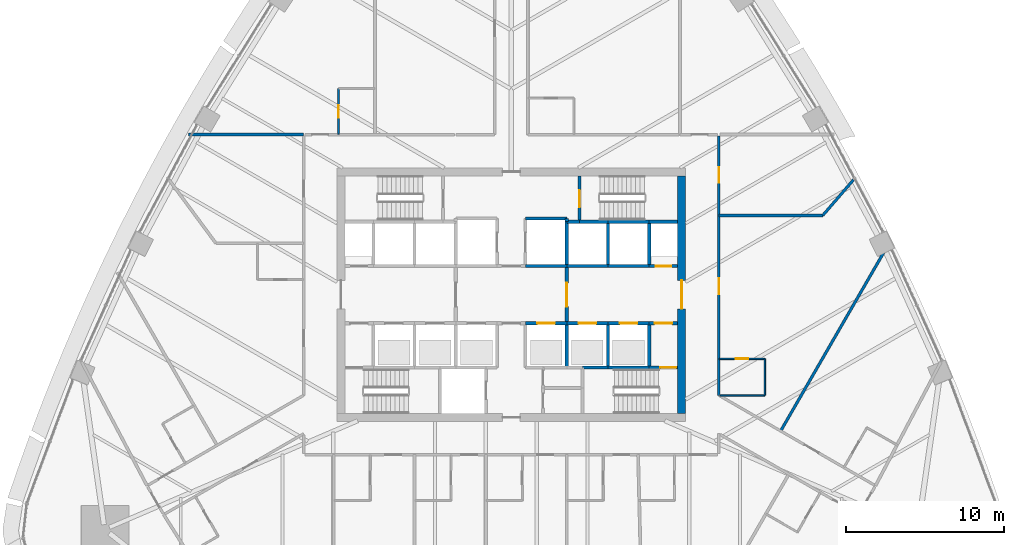
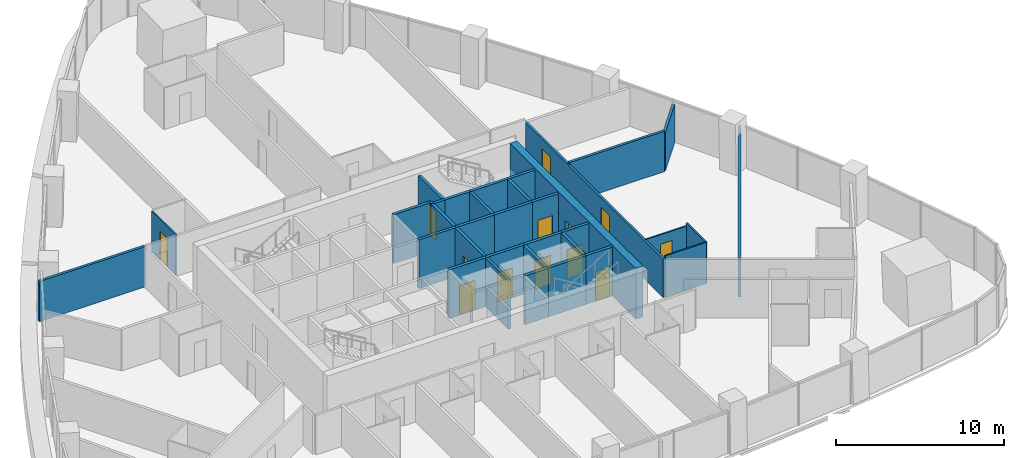
# One storey, part 12 of 17: 35 walls, 13 doors, 13 openings.
"""IFC4 building model written with IfcOpenShell, lengths in metres."""

from ifc_helpers import new_model, si_unit, direction, frame, frame_2d, origin, place, context, subcontext, project, spatial, rectangle, extrude, material, layer, layer_set, type_object, element, fill, save


model = new_model("IFC4")

# Units and contexts
model_context = context("Model", 3, precision=1e-05, world=origin(), true_north=direction((0.0, 1.0)))
body_context = subcontext(model_context, "Body", "Model", "MODEL_VIEW")
ifc_project = project(units=[si_unit("LENGTHUNIT", "METRE"), si_unit("AREAUNIT", "SQUARE_METRE"), si_unit("VOLUMEUNIT", "CUBIC_METRE"), si_unit("PLANEANGLEUNIT", "RADIAN"), si_unit("MASSUNIT", "GRAM", prefix="KILO")], contexts=[model_context])

# Site, building, storey
site_placement = place(None, origin())
site = spatial("IfcSite", under=ifc_project, at=site_placement, CompositionType="ELEMENT")
building_placement = place(site_placement, origin())
building = spatial("IfcBuilding", under=site, at=building_placement, Name="Sierra Prisma Convention Tower", CompositionType="ELEMENT")
storey_placement = place(building_placement, frame((0.0, 0.0, 99.800048828125)))
storey = spatial("IfcBuildingStorey", under=building, at=storey_placement, Name="L21", CompositionType="ELEMENT", Elevation=99.800048828125)

# Wall, opening, door
ifc_material_1 = material(Name="Gypsum board partition", Category="gypsum")
ifc_layer_1 = layer(ifc_material_1, 0.10009765625)
ifc_layer_set_1 = layer_set([ifc_layer_1], Name="Bathroom partition 100")
wall_type_1 = type_object("IfcWallType", Name="Bathroom partition 100", PredefinedType="PARTITIONING", material=ifc_layer_set_1)
wall_1_placement = place(storey_placement, frame((-10.89990234375, 10.1298828125, 0.0), z_axis=(0.0, 0.0, 1.0), x_axis=(0.0, 1.0, 0.0)))
wall_1 = element("IfcWall", 1, at=wall_1_placement, inside=storey, type_object=wall_type_1, Name="Partition L21 bath 9", PredefinedType="PARTITIONING", context=body_context, shape_type="SweptSolid", body=[
    extrude(rectangle(XDim=2.8701171875, YDim=0.10009765625, at=frame_2d((1.43505859375, 0.0))), origin(), (0.0, 0.0, 1.0), 2.947021484375),
])
opening_1_placement = place(wall_1_placement, frame((1.034912109375, 0.0, 0.0)))
opening_1 = element("IfcOpeningElement", 2, at=opening_1_placement, cuts=wall_1, Name="Opening L21-D003", PredefinedType="OPENING", context=body_context, shape_type="SweptSolid", body=[
    extrude(rectangle(XDim=0.800048828125, YDim=2.10009765625, at=frame_2d((0.39990234375, 1.050048828125))), frame((0.0, 0.050048828125, 0.0), z_axis=(0.0, -1.0, 0.0), x_axis=(1.0, 0.0, 0.0)), (0.0, 0.0, 1.0), 0.10009765625),
])
ifc_material_2 = material(Name="Solid core timber door leaf", Category="wood")
door_type_1 = type_object("IfcDoorType", Name="Door 800x2100 plain", OperationType="SINGLE_SWING_LEFT", PredefinedType="DOOR", material=ifc_material_2)
door_1_placement = place(opening_1_placement, origin())
door_1 = element("IfcDoor", 3, at=door_1_placement, inside=storey, type_object=door_type_1, Name="Door L21 8", OperationType="SINGLE_SWING_RIGHT", OverallHeight=2.10009765625, OverallWidth=0.800048828125, PredefinedType="DOOR", context=body_context, shape_type="SweptSolid", body=[
    extrude(rectangle(XDim=0.800048828125, YDim=2.10009765625, at=frame_2d((0.39990234375, 1.050048828125))), frame((0.0, 0.02490234375, 0.0), z_axis=(0.0, -1.0, 0.0), x_axis=(1.0, 0.0, 0.0)), (0.0, 0.0, 1.0), 0.050048828125),
])
fill(opening_1, door_1)

wall_2_placement = place(storey_placement, frame((13.1298828125, -4.05078125, 0.0), z_axis=(0.0, 0.0, 1.0), x_axis=(1.0, 0.0, 0.0)))
wall_2 = element("IfcWall", 4, at=wall_2_placement, inside=storey, type_object=wall_type_1, Name="Partition L21 bath 24", PredefinedType="PARTITIONING", context=body_context, shape_type="SweptSolid", body=[
    extrude(rectangle(XDim=2.8701171875, YDim=0.10009765625, at=frame_2d((1.43505859375, 0.0))), origin(), (0.0, 0.0, 1.0), 2.796875),
])
opening_2_placement = place(wall_2_placement, frame((1.034912109375, 0.0, 0.0)))
opening_2 = element("IfcOpeningElement", 5, at=opening_2_placement, cuts=wall_2, Name="Opening L21-D014", PredefinedType="OPENING", context=body_context, shape_type="SweptSolid", body=[
    extrude(rectangle(XDim=0.800048828125, YDim=2.10009765625, at=frame_2d((0.39990234375, 1.050048828125))), frame((0.0, 0.050048828125, 0.0), z_axis=(0.0, -1.0, 0.0), x_axis=(1.0, 0.0, 0.0)), (0.0, 0.0, 1.0), 0.10009765625),
])
door_2_placement = place(opening_2_placement, origin())
door_2 = element("IfcDoor", 6, at=door_2_placement, inside=storey, type_object=door_type_1, Name="Door L21 33", OperationType="SINGLE_SWING_RIGHT", OverallHeight=2.10009765625, OverallWidth=0.800048828125, PredefinedType="DOOR", context=body_context, shape_type="SweptSolid", body=[
    extrude(rectangle(XDim=0.800048828125, YDim=2.10009765625, at=frame_2d((0.39990234375, 1.050048828125))), frame((0.0, 0.02490234375, 0.0), z_axis=(0.0, -1.0, 0.0), x_axis=(1.0, 0.0, 0.0)), (0.0, 0.0, 1.0), 0.050048828125),
])
fill(opening_2, door_2)

# Walls
wall_3_placement = place(storey_placement, frame((16.0, -4.05078125, 0.0), z_axis=(0.0, 0.0, 1.0), x_axis=(0.0, -1.0, 0.0)))
element("IfcWall", 7, at=wall_3_placement, inside=storey, type_object=wall_type_1, Name="Partition L21 bath 25", PredefinedType="PARTITIONING", context=body_context, shape_type="SweptSolid", body=[
    extrude(rectangle(XDim=2.300048828125, YDim=0.10009765625, at=frame_2d((1.14990234375, 0.0))), origin(), (0.0, 0.0, 1.0), 3.0),
])
wall_4_placement = place(storey_placement, frame((16.0, -6.350830078125, 0.0), z_axis=(0.0, 0.0, 1.0), x_axis=(-1.0, 0.0, 0.0)))
element("IfcWall", 8, at=wall_4_placement, inside=storey, type_object=wall_type_1, Name="Partition L21 bath 26", PredefinedType="PARTITIONING", context=body_context, shape_type="SweptSolid", body=[
    extrude(rectangle(XDim=2.840087890625, YDim=0.10009765625, at=frame_2d((1.419921875, 0.0))), origin(), (0.0, 0.0, 1.0), 3.0),
])

# Wall, opening, door
ifc_material_3 = material(Name="Concrete C30/37", Category="concrete")
ifc_layer_2 = layer(ifc_material_3, 0.199951171875)
ifc_layer_set_2 = layer_set([ifc_layer_2], Name="Core wall RC 200 C30/37")
wall_type_2 = type_object("IfcWallType", Name="Core wall RC 200 C30/37", PredefinedType="SOLIDWALL", material=ifc_layer_set_2)
wall_5_placement = place(storey_placement, frame((0.89990234375, -1.800048828125, 0.0), z_axis=(0.0, 0.0, 1.0), x_axis=(1.0, 0.0, 0.0)))
wall_5 = element("IfcWall", 9, at=wall_5_placement, inside=storey, type_object=wall_type_2, Name="Core wall L21 35", PredefinedType="SOLIDWALL", context=body_context, shape_type="SweptSolid", body=[
    extrude(rectangle(XDim=2.60009765625, YDim=0.199951171875, at=frame_2d((1.300048828125, 0.0))), origin(), (0.0, 0.0, 1.0), 3.550048828125),
])
opening_3_placement = place(wall_5_placement, frame((0.75, 0.0, 0.0)))
opening_3 = element("IfcOpeningElement", 10, at=opening_3_placement, cuts=wall_5, Name="Opening L21-D018", PredefinedType="OPENING", context=body_context, shape_type="SweptSolid", body=[
    extrude(rectangle(XDim=1.10009765625, YDim=2.10009765625, at=frame_2d((0.550048828125, 1.050048828125))), frame((0.0, 0.10009765625, 0.0), z_axis=(0.0, -1.0, 0.0), x_axis=(1.0, 0.0, 0.0)), (0.0, 0.0, 1.0), 0.199951171875),
])
ifc_material_4 = material(Name="Steel fire door leaf", Category="steel")
door_type_2 = type_object("IfcDoorType", Name="Door 1100x2100 EI 90 sliding lift landing", OperationType="SLIDING_TO_LEFT", PredefinedType="DOOR", material=ifc_material_4)
door_3_placement = place(opening_3_placement, origin())
door_3 = element("IfcDoor", 11, at=door_3_placement, inside=storey, type_object=door_type_2, Name="Door L21 37", OperationType="SLIDING_TO_RIGHT", OverallHeight=2.10009765625, OverallWidth=1.10009765625, PredefinedType="DOOR", context=body_context, shape_type="SweptSolid", body=[
    extrude(rectangle(XDim=1.10009765625, YDim=2.10009765625, at=frame_2d((0.550048828125, 1.050048828125))), frame((0.0, 0.02490234375, 0.0), z_axis=(0.0, -1.0, 0.0), x_axis=(1.0, 0.0, 0.0)), (0.0, 0.0, 1.0), 0.050048828125),
])
fill(opening_3, door_3)

# Walls
wall_6_placement = place(storey_placement, frame((3.5, 1.800048828125, 0.0), z_axis=(0.0, 0.0, 1.0), x_axis=(-1.0, 0.0, 0.0)))
element("IfcWall", 12, at=wall_6_placement, inside=storey, type_object=wall_type_2, Name="Core wall L21 38", PredefinedType="SOLIDWALL", context=body_context, shape_type="SweptSolid", body=[
    extrude(rectangle(XDim=2.60009765625, YDim=0.199951171875, at=frame_2d((1.300048828125, 0.0))), origin(), (0.0, 0.0, 1.0), 3.550048828125),
])
wall_7_placement = place(storey_placement, frame((3.5, 4.60009765625, 0.0), z_axis=(0.0, 0.0, 1.0), x_axis=(0.0, 1.0, 0.0)))
element("IfcWall", 13, at=wall_7_placement, inside=storey, type_object=wall_type_2, Name="Core wall L21 39", PredefinedType="SOLIDWALL", context=body_context, shape_type="SweptSolid", body=[
    extrude(rectangle(XDim=0.199951171875, YDim=0.199951171875, at=frame_2d((0.10009765625, 0.0))), origin(), (0.0, 0.0, 1.0), 3.550048828125),
])
wall_8_placement = place(storey_placement, frame((3.5, 4.800048828125, 0.0), z_axis=(0.0, 0.0, 1.0), x_axis=(-1.0, 0.0, 0.0)))
element("IfcWall", 14, at=wall_8_placement, inside=storey, type_object=wall_type_2, Name="Core wall L21 40", PredefinedType="SOLIDWALL", context=body_context, shape_type="SweptSolid", body=[
    extrude(rectangle(XDim=2.60009765625, YDim=0.199951171875, at=frame_2d((1.300048828125, 0.0))), origin(), (0.0, 0.0, 1.0), 3.550048828125),
])
wall_9_placement = place(storey_placement, frame((3.5, -4.60009765625, 0.0), z_axis=(0.0, 0.0, 1.0), x_axis=(0.0, 1.0, 0.0)))
element("IfcWall", 15, at=wall_9_placement, inside=storey, type_object=wall_type_2, Name="Core wall L21 47", PredefinedType="SOLIDWALL", context=body_context, shape_type="SweptSolid", body=[
    extrude(rectangle(XDim=2.800048828125, YDim=0.199951171875, at=frame_2d((1.39990234375, 0.0))), origin(), (0.0, 0.0, 1.0), 3.550048828125),
])

# Wall, opening, door
wall_10_placement = place(storey_placement, frame((3.5, -1.800048828125, 0.0), z_axis=(0.0, 0.0, 1.0), x_axis=(1.0, 0.0, 0.0)))
wall_10 = element("IfcWall", 16, at=wall_10_placement, inside=storey, type_object=wall_type_2, Name="Core wall L21 48", PredefinedType="SOLIDWALL", context=body_context, shape_type="SweptSolid", body=[
    extrude(rectangle(XDim=2.60009765625, YDim=0.199951171875, at=frame_2d((1.300048828125, 0.0))), origin(), (0.0, 0.0, 1.0), 3.550048828125),
])
opening_4_placement = place(wall_10_placement, frame((0.75, 0.0, 0.0)))
opening_4 = element("IfcOpeningElement", 17, at=opening_4_placement, cuts=wall_10, Name="Opening L21-D019", PredefinedType="OPENING", context=body_context, shape_type="SweptSolid", body=[
    extrude(rectangle(XDim=1.10009765625, YDim=2.10009765625, at=frame_2d((0.550048828125, 1.050048828125))), frame((0.0, 0.10009765625, 0.0), z_axis=(0.0, -1.0, 0.0), x_axis=(1.0, 0.0, 0.0)), (0.0, 0.0, 1.0), 0.199951171875),
])
door_4_placement = place(opening_4_placement, origin())
door_4 = element("IfcDoor", 18, at=door_4_placement, inside=storey, type_object=door_type_2, Name="Door L21 38", OperationType="SLIDING_TO_LEFT", OverallHeight=2.10009765625, OverallWidth=1.10009765625, PredefinedType="DOOR", context=body_context, shape_type="SweptSolid", body=[
    extrude(rectangle(XDim=1.10009765625, YDim=2.10009765625, at=frame_2d((0.550048828125, 1.050048828125))), frame((0.0, 0.02490234375, 0.0), z_axis=(0.0, -1.0, 0.0), x_axis=(1.0, 0.0, 0.0)), (0.0, 0.0, 1.0), 0.050048828125),
])
fill(opening_4, door_4)

wall_11_placement = place(storey_placement, frame((3.5, -1.800048828125, 0.0), z_axis=(0.0, 0.0, 1.0), x_axis=(0.0, 1.0, 0.0)))
wall_11 = element("IfcWall", 19, at=wall_11_placement, inside=storey, type_object=wall_type_2, Name="Core wall L21 49", PredefinedType="SOLIDWALL", context=body_context, shape_type="SweptSolid", body=[
    extrude(rectangle(XDim=3.60009765625, YDim=0.199951171875, at=frame_2d((1.800048828125, 0.0))), origin(), (0.0, 0.0, 1.0), 3.550048828125),
])
opening_5_placement = place(wall_11_placement, frame((1.050048828125, 0.0, 0.0)))
opening_5 = element("IfcOpeningElement", 20, at=opening_5_placement, cuts=wall_11, Name="Opening L21-D025", PredefinedType="OPENING", context=body_context, shape_type="SweptSolid", body=[
    extrude(rectangle(XDim=1.5, YDim=2.10009765625, at=frame_2d((0.75, 1.050048828125))), frame((0.0, 0.10009765625, 0.0), z_axis=(0.0, -1.0, 0.0), x_axis=(1.0, 0.0, 0.0)), (0.0, 0.0, 1.0), 0.199951171875),
])
ifc_material_5 = material(Name="Steel fire door leaf", Category="steel")
door_type_3 = type_object("IfcDoorType", Name="Door 1500x2100 FD30S", OperationType="DOUBLE_DOOR_SINGLE_SWING", PredefinedType="DOOR", material=ifc_material_5)
door_5_placement = place(opening_5_placement, origin())
door_5 = element("IfcDoor", 21, at=door_5_placement, inside=storey, type_object=door_type_3, Name="Door L21 44", OperationType="DOUBLE_DOOR_SINGLE_SWING", OverallHeight=2.10009765625, OverallWidth=1.5, PredefinedType="DOOR", context=body_context, shape_type="SweptSolid", body=[
    extrude(rectangle(XDim=1.5, YDim=2.10009765625, at=frame_2d((0.75, 1.050048828125))), frame((0.0, 0.02490234375, 0.0), z_axis=(0.0, -1.0, 0.0), x_axis=(1.0, 0.0, 0.0)), (0.0, 0.0, 1.0), 0.050048828125),
])
fill(opening_5, door_5)

# Walls
wall_12_placement = place(storey_placement, frame((6.10009765625, 1.800048828125, 0.0), z_axis=(0.0, 0.0, 1.0), x_axis=(-1.0, 0.0, 0.0)))
element("IfcWall", 22, at=wall_12_placement, inside=storey, type_object=wall_type_2, Name="Core wall L21 50", PredefinedType="SOLIDWALL", context=body_context, shape_type="SweptSolid", body=[
    extrude(rectangle(XDim=2.60009765625, YDim=0.199951171875, at=frame_2d((1.300048828125, 0.0))), origin(), (0.0, 0.0, 1.0), 3.550048828125),
])
wall_13_placement = place(storey_placement, frame((3.5, 1.800048828125, 0.0), z_axis=(0.0, 0.0, 1.0), x_axis=(0.0, 1.0, 0.0)))
element("IfcWall", 23, at=wall_13_placement, inside=storey, type_object=wall_type_2, Name="Core wall L21 51", PredefinedType="SOLIDWALL", context=body_context, shape_type="SweptSolid", body=[
    extrude(rectangle(XDim=2.800048828125, YDim=0.199951171875, at=frame_2d((1.39990234375, 0.0))), origin(), (0.0, 0.0, 1.0), 3.550048828125),
])
wall_14_placement = place(storey_placement, frame((4.300048828125, 4.60009765625, 0.0), z_axis=(0.0, 0.0, 1.0), x_axis=(-1.0, 0.0, 0.0)))
element("IfcWall", 24, at=wall_14_placement, inside=storey, type_object=wall_type_2, Name="Core wall L21 52", PredefinedType="SOLIDWALL", context=body_context, shape_type="SweptSolid", body=[
    extrude(rectangle(XDim=0.800048828125, YDim=0.199951171875, at=frame_2d((0.39990234375, 0.0))), origin(), (0.0, 0.0, 1.0), 3.550048828125),
])
wall_15_placement = place(storey_placement, frame((6.10009765625, 4.60009765625, 0.0), z_axis=(0.0, 0.0, 1.0), x_axis=(-1.0, 0.0, 0.0)))
element("IfcWall", 25, at=wall_15_placement, inside=storey, type_object=wall_type_2, Name="Core wall L21 53", PredefinedType="SOLIDWALL", context=body_context, shape_type="SweptSolid", body=[
    extrude(rectangle(XDim=1.800048828125, YDim=0.199951171875, at=frame_2d((0.89990234375, 0.0))), origin(), (0.0, 0.0, 1.0), 3.550048828125),
])

# Wall, opening, door
wall_16_placement = place(storey_placement, frame((4.300048828125, 7.5, 0.0), z_axis=(0.0, 0.0, 1.0), x_axis=(0.0, -1.0, 0.0)))
wall_16 = element("IfcWall", 26, at=wall_16_placement, inside=storey, type_object=wall_type_2, Name="Core wall L21 54", PredefinedType="SOLIDWALL", context=body_context, shape_type="SweptSolid", body=[
    extrude(rectangle(XDim=2.89990234375, YDim=0.199951171875, at=frame_2d((1.449951171875, 0.0))), origin(), (0.0, 0.0, 1.0), 3.550048828125),
])
opening_6_placement = place(wall_16_placement, frame((0.89990234375, 0.0, 0.0)))
opening_6 = element("IfcOpeningElement", 27, at=opening_6_placement, cuts=wall_16, Name="Opening L21-D035", PredefinedType="OPENING", context=body_context, shape_type="SweptSolid", body=[
    extrude(rectangle(XDim=1.10009765625, YDim=2.10009765625, at=frame_2d((0.550048828125, 1.050048828125))), frame((0.0, 0.10009765625, 0.0), z_axis=(0.0, -1.0, 0.0), x_axis=(1.0, 0.0, 0.0)), (0.0, 0.0, 1.0), 0.199951171875),
])
ifc_material_6 = material(Name="Steel fire door leaf", Category="steel")
door_type_4 = type_object("IfcDoorType", Name="Door 1100x2100 FD90S", OperationType="SINGLE_SWING_LEFT", PredefinedType="DOOR", material=ifc_material_6)
door_6_placement = place(opening_6_placement, origin())
door_6 = element("IfcDoor", 28, at=door_6_placement, inside=storey, type_object=door_type_4, Name="Door L21 54", OperationType="SINGLE_SWING_LEFT", OverallHeight=2.10009765625, OverallWidth=1.10009765625, PredefinedType="DOOR", context=body_context, shape_type="SweptSolid", body=[
    extrude(rectangle(XDim=1.10009765625, YDim=2.10009765625, at=frame_2d((0.550048828125, 1.050048828125))), frame((0.0, 0.02490234375, 0.0), z_axis=(0.0, -1.0, 0.0), x_axis=(1.0, 0.0, 0.0)), (0.0, 0.0, 1.0), 0.050048828125),
])
fill(opening_6, door_6)

# Walls
wall_17_placement = place(storey_placement, frame((4.5, -4.60009765625, 0.0), z_axis=(0.0, 0.0, 1.0), x_axis=(1.0, 0.0, 0.0)))
element("IfcWall", 29, at=wall_17_placement, inside=storey, type_object=wall_type_2, Name="Core wall L21 57", PredefinedType="SOLIDWALL", context=body_context, shape_type="SweptSolid", body=[
    extrude(rectangle(XDim=1.60009765625, YDim=0.199951171875, at=frame_2d((0.800048828125, 0.0))), origin(), (0.0, 0.0, 1.0), 3.550048828125),
])
wall_18_placement = place(storey_placement, frame((6.10009765625, -4.60009765625, 0.0), z_axis=(0.0, 0.0, 1.0), x_axis=(1.0, 0.0, 0.0)))
element("IfcWall", 30, at=wall_18_placement, inside=storey, type_object=wall_type_2, Name="Core wall L21 58", PredefinedType="SOLIDWALL", context=body_context, shape_type="SweptSolid", body=[
    extrude(rectangle(XDim=2.599853515625, YDim=0.199951171875, at=frame_2d((1.2998046875, 0.0))), origin(), (0.0, 0.0, 1.0), 3.550048828125),
])
wall_19_placement = place(storey_placement, frame((6.10009765625, -4.60009765625, 0.0), z_axis=(0.0, 0.0, 1.0), x_axis=(0.0, 1.0, 0.0)))
element("IfcWall", 31, at=wall_19_placement, inside=storey, type_object=wall_type_2, Name="Core wall L21 59", PredefinedType="SOLIDWALL", context=body_context, shape_type="SweptSolid", body=[
    extrude(rectangle(XDim=2.800048828125, YDim=0.199951171875, at=frame_2d((1.39990234375, 0.0))), origin(), (0.0, 0.0, 1.0), 3.550048828125),
])

# Wall, opening, door
wall_20_placement = place(storey_placement, frame((6.10009765625, -1.800048828125, 0.0), z_axis=(0.0, 0.0, 1.0), x_axis=(1.0, 0.0, 0.0)))
wall_20 = element("IfcWall", 32, at=wall_20_placement, inside=storey, type_object=wall_type_2, Name="Core wall L21 60", PredefinedType="SOLIDWALL", context=body_context, shape_type="SweptSolid", body=[
    extrude(rectangle(XDim=2.599853515625, YDim=0.199951171875, at=frame_2d((1.2998046875, 0.0))), origin(), (0.0, 0.0, 1.0), 3.550048828125),
])
opening_7_placement = place(wall_20_placement, frame((0.75, 0.0, 0.0)))
opening_7 = element("IfcOpeningElement", 33, at=opening_7_placement, cuts=wall_20, Name="Opening L21-D020", PredefinedType="OPENING", context=body_context, shape_type="SweptSolid", body=[
    extrude(rectangle(XDim=1.10009765625, YDim=2.10009765625, at=frame_2d((0.550048828125, 1.050048828125))), frame((0.0, 0.10009765625, 0.0), z_axis=(0.0, -1.0, 0.0), x_axis=(1.0, 0.0, 0.0)), (0.0, 0.0, 1.0), 0.199951171875),
])
door_7_placement = place(opening_7_placement, origin())
door_7 = element("IfcDoor", 34, at=door_7_placement, inside=storey, type_object=door_type_2, Name="Door L21 39", OperationType="SLIDING_TO_LEFT", OverallHeight=2.10009765625, OverallWidth=1.10009765625, PredefinedType="DOOR", context=body_context, shape_type="SweptSolid", body=[
    extrude(rectangle(XDim=1.10009765625, YDim=2.10009765625, at=frame_2d((0.550048828125, 1.050048828125))), frame((0.0, 0.02490234375, 0.0), z_axis=(0.0, -1.0, 0.0), x_axis=(1.0, 0.0, 0.0)), (0.0, 0.0, 1.0), 0.050048828125),
])
fill(opening_7, door_7)

# Walls
wall_21_placement = place(storey_placement, frame((8.699951171875, 1.800048828125, 0.0), z_axis=(0.0, 0.0, 1.0), x_axis=(-1.0, 0.0, 0.0)))
element("IfcWall", 35, at=wall_21_placement, inside=storey, type_object=wall_type_2, Name="Core wall L21 61", PredefinedType="SOLIDWALL", context=body_context, shape_type="SweptSolid", body=[
    extrude(rectangle(XDim=2.599853515625, YDim=0.199951171875, at=frame_2d((1.2998046875, 0.0))), origin(), (0.0, 0.0, 1.0), 3.550048828125),
])
wall_22_placement = place(storey_placement, frame((6.10009765625, 1.800048828125, 0.0), z_axis=(0.0, 0.0, 1.0), x_axis=(0.0, 1.0, 0.0)))
element("IfcWall", 36, at=wall_22_placement, inside=storey, type_object=wall_type_2, Name="Core wall L21 62", PredefinedType="SOLIDWALL", context=body_context, shape_type="SweptSolid", body=[
    extrude(rectangle(XDim=2.800048828125, YDim=0.199951171875, at=frame_2d((1.39990234375, 0.0))), origin(), (0.0, 0.0, 1.0), 3.550048828125),
])
wall_23_placement = place(storey_placement, frame((8.699951171875, 4.60009765625, 0.0), z_axis=(0.0, 0.0, 1.0), x_axis=(-1.0, 0.0, 0.0)))
element("IfcWall", 37, at=wall_23_placement, inside=storey, type_object=wall_type_2, Name="Core wall L21 63", PredefinedType="SOLIDWALL", context=body_context, shape_type="SweptSolid", body=[
    extrude(rectangle(XDim=2.599853515625, YDim=0.199951171875, at=frame_2d((1.2998046875, 0.0))), origin(), (0.0, 0.0, 1.0), 3.550048828125),
])

# Wall, opening, door
wall_24_placement = place(storey_placement, frame((8.699951171875, -4.60009765625, 0.0), z_axis=(0.0, 0.0, 1.0), x_axis=(1.0, 0.0, 0.0)))
wall_24 = element("IfcWall", 38, at=wall_24_placement, inside=storey, type_object=wall_type_2, Name="Core wall L21 64", PredefinedType="SOLIDWALL", context=body_context, shape_type="SweptSolid", body=[
    extrude(rectangle(XDim=1.800048828125, YDim=0.199951171875, at=frame_2d((0.89990234375, 0.0))), origin(), (0.0, 0.0, 1.0), 3.550048828125),
])
opening_8_placement = place(wall_24_placement, frame((0.699951171875, 0.0, 0.0)))
opening_8 = element("IfcOpeningElement", 39, at=opening_8_placement, cuts=wall_24, Name="Opening L21-D033", PredefinedType="OPENING", context=body_context, shape_type="SweptSolid", body=[
    extrude(rectangle(XDim=1.0, YDim=2.10009765625, at=frame_2d((0.5, 1.050048828125))), frame((0.0, 0.10009765625, 0.0), z_axis=(0.0, -1.0, 0.0), x_axis=(1.0, 0.0, 0.0)), (0.0, 0.0, 1.0), 0.199951171875),
])
ifc_material_7 = material(Name="Steel fire door leaf", Category="steel")
door_type_5 = type_object("IfcDoorType", Name="Door 1000x2100 FD90S", OperationType="SINGLE_SWING_LEFT", PredefinedType="DOOR", material=ifc_material_7)
door_8_placement = place(opening_8_placement, origin())
door_8 = element("IfcDoor", 40, at=door_8_placement, inside=storey, type_object=door_type_5, Name="Door L21 52", OperationType="SINGLE_SWING_RIGHT", OverallHeight=2.10009765625, OverallWidth=1.0, PredefinedType="DOOR", context=body_context, shape_type="SweptSolid", body=[
    extrude(rectangle(XDim=1.0, YDim=2.10009765625, at=frame_2d((0.5, 1.050048828125))), frame((0.0, 0.02490234375, 0.0), z_axis=(0.0, -1.0, 0.0), x_axis=(1.0, 0.0, 0.0)), (0.0, 0.0, 1.0), 0.050048828125),
])
fill(opening_8, door_8)

# Wall
wall_25_placement = place(storey_placement, frame((8.699951171875, -1.800048828125, 0.0), z_axis=(0.0, 0.0, 1.0), x_axis=(0.0, -1.0, 0.0)))
element("IfcWall", 41, at=wall_25_placement, inside=storey, type_object=wall_type_2, Name="Core wall L21 65", PredefinedType="SOLIDWALL", context=body_context, shape_type="SweptSolid", body=[
    extrude(rectangle(XDim=2.800048828125, YDim=0.199951171875, at=frame_2d((1.39990234375, 0.0))), origin(), (0.0, 0.0, 1.0), 3.550048828125),
])

# Wall, opening, door
wall_26_placement = place(storey_placement, frame((8.699951171875, -1.800048828125, 0.0), z_axis=(0.0, 0.0, 1.0), x_axis=(1.0, 0.0, 0.0)))
wall_26 = element("IfcWall", 42, at=wall_26_placement, inside=storey, type_object=wall_type_2, Name="Core wall L21 66", PredefinedType="SOLIDWALL", context=body_context, shape_type="SweptSolid", body=[
    extrude(rectangle(XDim=1.800048828125, YDim=0.199951171875, at=frame_2d((0.89990234375, 0.0))), origin(), (0.0, 0.0, 1.0), 3.550048828125),
])
opening_9_placement = place(wall_26_placement, frame((0.35009765625, 0.0, 0.0)))
opening_9 = element("IfcOpeningElement", 43, at=opening_9_placement, cuts=wall_26, Name="Opening L21-D027", PredefinedType="OPENING", context=body_context, shape_type="SweptSolid", body=[
    extrude(rectangle(XDim=1.10009765625, YDim=2.10009765625, at=frame_2d((0.550048828125, 1.050048828125))), frame((0.0, 0.10009765625, 0.0), z_axis=(0.0, -1.0, 0.0), x_axis=(1.0, 0.0, 0.0)), (0.0, 0.0, 1.0), 0.199951171875),
])
door_9_placement = place(opening_9_placement, origin())
door_9 = element("IfcDoor", 44, at=door_9_placement, inside=storey, type_object=door_type_4, Name="Door L21 46", OperationType="SINGLE_SWING_LEFT", OverallHeight=2.10009765625, OverallWidth=1.10009765625, PredefinedType="DOOR", context=body_context, shape_type="SweptSolid", body=[
    extrude(rectangle(XDim=1.10009765625, YDim=2.10009765625, at=frame_2d((0.550048828125, 1.050048828125))), frame((0.0, 0.02490234375, 0.0), z_axis=(0.0, -1.0, 0.0), x_axis=(1.0, 0.0, 0.0)), (0.0, 0.0, 1.0), 0.050048828125),
])
fill(opening_9, door_9)

wall_27_placement = place(storey_placement, frame((10.5, 1.800048828125, 0.0), z_axis=(0.0, 0.0, 1.0), x_axis=(-1.0, 0.0, 0.0)))
wall_27 = element("IfcWall", 45, at=wall_27_placement, inside=storey, type_object=wall_type_2, Name="Core wall L21 67", PredefinedType="SOLIDWALL", context=body_context, shape_type="SweptSolid", body=[
    extrude(rectangle(XDim=1.800048828125, YDim=0.199951171875, at=frame_2d((0.89990234375, 0.0))), origin(), (0.0, 0.0, 1.0), 3.550048828125),
])
opening_10_placement = place(wall_27_placement, frame((0.39990234375, 0.0, 0.0)))
opening_10 = element("IfcOpeningElement", 46, at=opening_10_placement, cuts=wall_27, Name="Opening L21-D031", PredefinedType="OPENING", context=body_context, shape_type="SweptSolid", body=[
    extrude(rectangle(XDim=1.0, YDim=2.10009765625, at=frame_2d((0.5, 1.050048828125))), frame((0.0, 0.10009765625, 0.0), z_axis=(0.0, -1.0, 0.0), x_axis=(1.0, 0.0, 0.0)), (0.0, 0.0, 1.0), 0.199951171875),
])
ifc_material_8 = material(Name="Steel fire door leaf", Category="steel")
door_type_6 = type_object("IfcDoorType", Name="Door 1000x2100 FD60S", OperationType="SINGLE_SWING_LEFT", PredefinedType="DOOR", material=ifc_material_8)
door_10_placement = place(opening_10_placement, origin())
door_10 = element("IfcDoor", 47, at=door_10_placement, inside=storey, type_object=door_type_6, Name="Door L21 50", OperationType="SINGLE_SWING_LEFT", OverallHeight=2.10009765625, OverallWidth=1.0, PredefinedType="DOOR", context=body_context, shape_type="SweptSolid", body=[
    extrude(rectangle(XDim=1.0, YDim=2.10009765625, at=frame_2d((0.5, 1.050048828125))), frame((0.0, 0.02490234375, 0.0), z_axis=(0.0, -1.0, 0.0), x_axis=(1.0, 0.0, 0.0)), (0.0, 0.0, 1.0), 0.050048828125),
])
fill(opening_10, door_10)

# Walls
wall_28_placement = place(storey_placement, frame((8.699951171875, 4.60009765625, 0.0), z_axis=(0.0, 0.0, 1.0), x_axis=(0.0, -1.0, 0.0)))
element("IfcWall", 48, at=wall_28_placement, inside=storey, type_object=wall_type_2, Name="Core wall L21 68", PredefinedType="SOLIDWALL", context=body_context, shape_type="SweptSolid", body=[
    extrude(rectangle(XDim=2.800048828125, YDim=0.199951171875, at=frame_2d((1.39990234375, 0.0))), origin(), (0.0, 0.0, 1.0), 3.550048828125),
])
wall_29_placement = place(storey_placement, frame((10.5, 4.60009765625, 0.0), z_axis=(0.0, 0.0, 1.0), x_axis=(-1.0, 0.0, 0.0)))
element("IfcWall", 49, at=wall_29_placement, inside=storey, type_object=wall_type_2, Name="Core wall L21 69", PredefinedType="SOLIDWALL", context=body_context, shape_type="SweptSolid", body=[
    extrude(rectangle(XDim=1.800048828125, YDim=0.199951171875, at=frame_2d((0.89990234375, 0.0))), origin(), (0.0, 0.0, 1.0), 3.550048828125),
])

# Wall, opening, door
ifc_material_9 = material(Name="Concrete C60/75", Category="concrete")
ifc_layer_3 = layer(ifc_material_9, 0.5)
ifc_layer_set_3 = layer_set([ifc_layer_3], Name="Core wall RC 500 C60/75")
wall_type_3 = type_object("IfcWallType", Name="Core wall RC 500 C60/75", PredefinedType="SHEAR", material=ifc_layer_set_3)
wall_30_placement = place(storey_placement, frame((10.75, -7.5, 0.0), z_axis=(0.0, 0.0, 1.0), x_axis=(0.0, 1.0, 0.0)))
wall_30 = element("IfcWall", 50, at=wall_30_placement, inside=storey, type_object=wall_type_3, Name="Core wall E L21", PredefinedType="SHEAR", context=body_context, shape_type="SweptSolid", body=[
    extrude(rectangle(XDim=15.0, YDim=0.5, at=frame_2d((7.5, 0.0))), origin(), (0.0, 0.0, 1.0), 3.699951171875),
])
opening_11_placement = place(wall_30_placement, frame((6.60009765625, 0.0, 0.0)))
opening_11 = element("IfcOpeningElement", 51, at=opening_11_placement, cuts=wall_30, Name="Opening L21-D057", PredefinedType="OPENING", context=body_context, shape_type="SweptSolid", body=[
    extrude(rectangle(XDim=1.800048828125, YDim=2.10009765625, at=frame_2d((0.89990234375, 1.050048828125))), frame((0.0, 0.25, 0.0), z_axis=(0.0, -1.0, 0.0), x_axis=(1.0, 0.0, 0.0)), (0.0, 0.0, 1.0), 0.5),
])
ifc_material_10 = material(Name="Steel fire door leaf", Category="steel")
door_type_7 = type_object("IfcDoorType", Name="Door 1800x2100 FD60S", OperationType="DOUBLE_DOOR_SINGLE_SWING", PredefinedType="DOOR", material=ifc_material_10)
door_11_placement = place(opening_11_placement, origin())
door_11 = element("IfcDoor", 52, at=door_11_placement, inside=storey, type_object=door_type_7, Name="Door L21 58", OperationType="DOUBLE_DOOR_SINGLE_SWING", OverallHeight=2.10009765625, OverallWidth=1.800048828125, PredefinedType="DOOR", context=body_context, shape_type="SweptSolid", body=[
    extrude(rectangle(XDim=1.800048828125, YDim=2.10009765625, at=frame_2d((0.89990234375, 1.050048828125))), frame((0.0, 0.02490234375, 0.0), z_axis=(0.0, -1.0, 0.0), x_axis=(1.0, 0.0, 0.0)), (0.0, 0.0, 1.0), 0.050048828125),
])
fill(opening_11, door_11)

# Wall, openings, doors
ifc_material_11 = material(Name="Gypsum board partition", Category="gypsum")
ifc_layer_4 = layer(ifc_material_11, 0.14990234375)
ifc_layer_set_4 = layer_set([ifc_layer_4], Name="Corridor wall 150 gypsum EI 60")
wall_type_4 = type_object("IfcWallType", Name="Corridor wall 150 gypsum EI 60", PredefinedType="PARTITIONING", material=ifc_layer_set_4)
wall_31_placement = place(storey_placement, frame((13.10009765625, -6.350830078125, 0.0), z_axis=(0.0, 0.0, 1.0), x_axis=(0.0, 1.0, 0.0)))
wall_31 = element("IfcWall", 53, at=wall_31_placement, inside=storey, type_object=wall_type_4, Name="Partition L21 corr 17", PredefinedType="PARTITIONING", context=body_context, shape_type="SweptSolid", body=[
    extrude(rectangle(XDim=16.370849609375, YDim=0.14990234375, at=frame_2d((8.185546875, 0.0))), origin(), (0.0, 0.0, 1.0), 2.796875),
])
opening_12_placement = place(wall_31_placement, frame((13.40087890625, 0.0, 0.0)))
opening_12 = element("IfcOpeningElement", 54, at=opening_12_placement, cuts=wall_31, Name="Opening L21-D038", PredefinedType="OPENING", context=body_context, shape_type="SweptSolid", body=[
    extrude(rectangle(XDim=1.0, YDim=2.10009765625, at=frame_2d((0.5, 1.050048828125))), frame((0.0, 0.074951171875, 0.0), z_axis=(0.0, -1.0, 0.0), x_axis=(1.0, 0.0, 0.0)), (0.0, 0.0, 1.0), 0.14990234375),
])
opening_13_placement = place(wall_31_placement, frame((6.37548828125, 0.0, 0.0)))
opening_13 = element("IfcOpeningElement", 55, at=opening_13_placement, cuts=wall_31, Name="Opening L21-D056", PredefinedType="OPENING", context=body_context, shape_type="SweptSolid", body=[
    extrude(rectangle(XDim=1.0, YDim=2.10009765625, at=frame_2d((0.5, 1.050048828125))), frame((0.0, 0.074951171875, 0.0), z_axis=(0.0, -1.0, 0.0), x_axis=(1.0, 0.0, 0.0)), (0.0, 0.0, 1.0), 0.14990234375),
])
ifc_material_12 = material(Name="Steel fire door leaf", Category="steel")
door_type_8 = type_object("IfcDoorType", Name="Door 1000x2100 FD30S", OperationType="SINGLE_SWING_LEFT", PredefinedType="DOOR", material=ifc_material_12)
door_12_placement = place(opening_12_placement, origin())
door_12 = element("IfcDoor", 56, at=door_12_placement, inside=storey, type_object=door_type_8, Name="Door L21 1", OperationType="SINGLE_SWING_RIGHT", OverallHeight=2.10009765625, OverallWidth=1.0, PredefinedType="DOOR", context=body_context, shape_type="SweptSolid", body=[
    extrude(rectangle(XDim=1.0, YDim=2.10009765625, at=frame_2d((0.5, 1.050048828125))), frame((0.0, 0.02490234375, 0.0), z_axis=(0.0, -1.0, 0.0), x_axis=(1.0, 0.0, 0.0)), (0.0, 0.0, 1.0), 0.050048828125),
])
fill(opening_12, door_12)
door_13_placement = place(opening_13_placement, origin())
door_13 = element("IfcDoor", 57, at=door_13_placement, inside=storey, type_object=door_type_8, Name="Door L21 32", OperationType="SINGLE_SWING_LEFT", OverallHeight=2.10009765625, OverallWidth=1.0, PredefinedType="DOOR", context=body_context, shape_type="SweptSolid", body=[
    extrude(rectangle(XDim=1.0, YDim=2.10009765625, at=frame_2d((0.5, 1.050048828125))), frame((0.0, 0.02490234375, 0.0), z_axis=(0.0, -1.0, 0.0), x_axis=(1.0, 0.0, 0.0)), (0.0, 0.0, 1.0), 0.050048828125),
])
fill(opening_13, door_13)

# Walls
ifc_material_13 = material(Name="Acoustic gypsum board partition", Category="gypsum")
ifc_layer_5 = layer(ifc_material_13, 0.175048828125)
ifc_layer_set_5 = layer_set([ifc_layer_5], Name="Guest room party wall 175 acoustic EI 60")
wall_type_5 = type_object("IfcWallType", Name="Guest room party wall 175 acoustic EI 60", PredefinedType="PARTITIONING", material=ifc_layer_set_5)
wall_32_placement = place(storey_placement, frame((-13.10009765625, 10.10009765625, 0.0), z_axis=(0.0, 0.0, 1.0), x_axis=(-1.0, 0.0, 0.0)))
element("IfcWall", 58, at=wall_32_placement, inside=storey, type_object=wall_type_5, Name="Partition L21 hparty 6", PredefinedType="PARTITIONING", context=body_context, shape_type="SweptSolid", body=[
    extrude(rectangle(XDim=7.261962890625, YDim=0.175048828125, at=frame_2d((3.630859375, 0.0))), origin(), (0.0, 0.0, 1.0), 2.933837890625),
])
wall_33_placement = place(storey_placement, frame((13.10009765625, 5.0, 0.0), z_axis=(0.0, 0.0, 1.0), x_axis=(1.0, 0.0, 0.0)))
element("IfcWall", 59, at=wall_33_placement, inside=storey, type_object=wall_type_5, Name="Partition L21 hparty 19", PredefinedType="PARTITIONING", context=body_context, shape_type="SweptSolid", body=[
    extrude(rectangle(XDim=6.55322265625, YDim=0.175048828125, at=frame_2d((3.276611328125, 0.0))), origin(), (0.0, 0.0, 1.0), 2.94287109375),
])
wall_34_placement = place(storey_placement, frame((19.6533203125, 5.0, 0.0), z_axis=(0.0, 0.0, 1.0), x_axis=(0.653235101972, 0.757155137043, 0.0)))
element("IfcWall", 60, at=wall_34_placement, inside=storey, type_object=wall_type_5, Name="Partition L21 hparty 20", PredefinedType="PARTITIONING", context=body_context, shape_type="SweptSolid", body=[
    extrude(rectangle(XDim=2.97412109375, YDim=0.175048828125, at=frame_2d((1.487060546875, 0.0))), origin(), (0.0, 0.0, 1.0), 2.783935546875),
])
wall_35_placement = place(storey_placement, frame((16.9970703125, -8.600830078125, 0.0), z_axis=(0.0, 0.0, 1.0), x_axis=(0.500004790049, 0.866022638231, 0.0)))
element("IfcWall", 61, at=wall_35_placement, inside=storey, type_object=wall_type_5, Name="Partition L21 hparty 22", PredefinedType="PARTITIONING", context=body_context, shape_type="SweptSolid", body=[
    extrude(rectangle(XDim=13.822509765625, YDim=0.175048828125, at=frame_2d((6.9111328125, 0.0))), origin(), (0.0, 0.0, 1.0), 2.783935546875),
])

save(model, "model.ifc")
